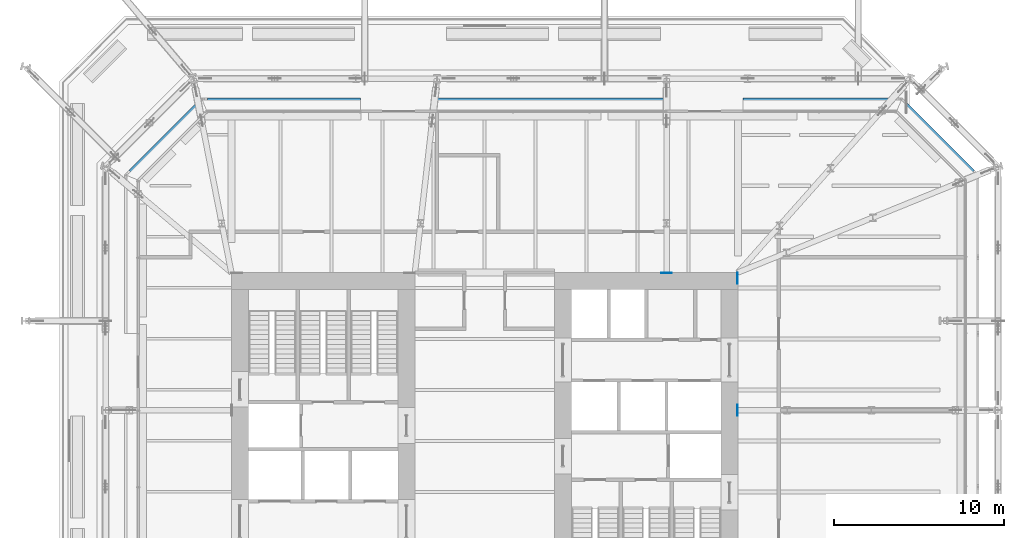
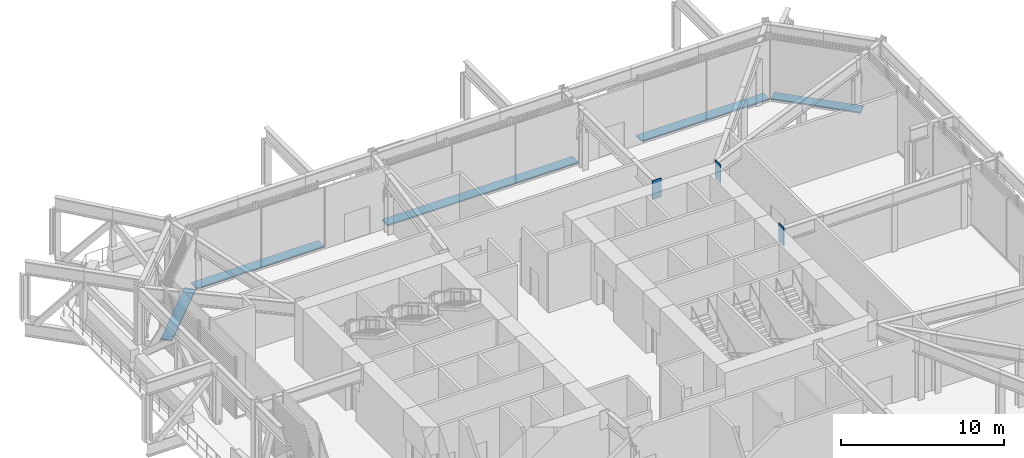
# One storey, part 22 of 29: 8 discrete accessories.
"""IFC4 building model written with IfcOpenShell, lengths in metres."""

from ifc_helpers import new_model, si_unit, direction, frame, origin, origin_2d, place, context, subcontext, project, spatial, rectangle, extrude, material, layer, layer_set, type_object, element, save


model = new_model("IFC4")

# Units and contexts
model_context = context("Model", 3, precision=1e-05, world=origin(), true_north=direction((0.0, 1.0)))
body_context = subcontext(model_context, "Body", "Model", "MODEL_VIEW")
ifc_project = project(units=[si_unit("LENGTHUNIT", "METRE"), si_unit("AREAUNIT", "SQUARE_METRE"), si_unit("VOLUMEUNIT", "CUBIC_METRE"), si_unit("PLANEANGLEUNIT", "RADIAN"), si_unit("MASSUNIT", "GRAM", prefix="KILO")], contexts=[model_context])

# Site, building, storey
site_placement = place(None, origin())
site = spatial("IfcSite", under=ifc_project, at=site_placement, CompositionType="ELEMENT")
building_placement = place(site_placement, origin())
building = spatial("IfcBuilding", under=site, at=building_placement, Name="Millrace Tower", CompositionType="ELEMENT")
storey_placement = place(building_placement, frame((0.0, 0.0, 68.60009765625)))
storey = spatial("IfcBuildingStorey", under=building, at=storey_placement, Name="L15", CompositionType="ELEMENT", Elevation=68.60009765625)

# Discrete accessories
ifc_material_1 = material(Name="Steel ASTM A572 Grade 50", Category="steel")
ifc_layer_1 = layer(ifc_material_1, 0.054931640625)
ifc_layer_set_1 = layer_set([ifc_layer_1], Name="Steel ASTM A572 Grade 50")
discrete_accessory_type_1 = type_object("IfcDiscreteAccessoryType", Name="Cast-in anchor plate 625x1395x55", PredefinedType="ANCHORPLATE", material=ifc_layer_set_1)
for number, where, z_axis, x_axis, name in (
    (1, (14.844970703125, 1.800048828125, 3.9033203125), (1.0, 0.0, 0.0), (0.0, 1.0, 0.0), "Cast-in anchor plate TRS-L15-C08-T04"),
    (2, (10.699951171875, 9.844970703125, 3.9033203125), (0.0, 1.0, 0.0), (-1.0, 0.0, 0.0), "Cast-in anchor plate TRS-L15-C11-T03"),
):
    element("IfcDiscreteAccessory", number, at=place(storey_placement, frame(where, z_axis=z_axis, x_axis=x_axis)), inside=storey, type_object=discrete_accessory_type_1, Name=name, PredefinedType="ANCHORPLATE", context=body_context, shape_type="SweptSolid", body=[
        extrude(rectangle(XDim=0.625, YDim=1.39501953125, at=origin_2d()), origin(), (0.0, 0.0, 1.0), 0.054931640625),
    ])
ifc_material_2 = material(Name="Steel ASTM A572 Grade 50", Category="steel")
ifc_layer_2 = layer(ifc_material_2, 0.054931640625)
ifc_layer_set_2 = layer_set([ifc_layer_2], Name="Steel ASTM A572 Grade 50")
discrete_accessory_type_2 = type_object("IfcDiscreteAccessoryType", Name="Cast-in anchor plate 650x1395x55", PredefinedType="ANCHORPLATE", material=ifc_layer_set_2)
discrete_accessory_1_placement = place(storey_placement, frame((14.844970703125, 9.574951171875, 3.9033203125), z_axis=(1.0, 0.0, 0.0), x_axis=(0.0, 1.0, 0.0)))
element("IfcDiscreteAccessory", 3, at=discrete_accessory_1_placement, inside=storey, type_object=discrete_accessory_type_2, Name="Cast-in anchor plate TRS-L15-C09-T04", PredefinedType="ANCHORPLATE", context=body_context, shape_type="SweptSolid", body=[
    extrude(rectangle(XDim=0.64990234375, YDim=1.39501953125, at=origin_2d()), origin(), (0.0, 0.0, 1.0), 0.054931640625),
])
ifc_material_3 = material(Name="Stainless steel ASTM A240 type 316", Category="steel")
discrete_accessory_type_3 = type_object("IfcDiscreteAccessoryType", Name="Thermally broken screen support rail", PredefinedType="BRACKET", material=ifc_material_3)
discrete_accessory_2_placement = place(storey_placement, frame((26.560546875, 17.66064453125, -0.000244140625), z_axis=(0.0, 0.0, 1.0), x_axis=(-0.707106781187, 0.707106781187, 0.0)))
element("IfcDiscreteAccessory", 4, at=discrete_accessory_2_placement, inside=storey, type_object=discrete_accessory_type_3, Name="Thermally broken screen support rail B-F05 L15 1", PredefinedType="BRACKET", context=body_context, shape_type="SweptSolid", body=[
    extrude(rectangle(XDim=5.65673828125, YDim=0.719970703125, at=origin_2d()), origin(), (0.0, 0.0, 1.0), 0.10009765625),
])
discrete_accessory_3_placement = place(storey_placement, frame((19.699951171875, 19.81005859375, -0.000244140625), z_axis=(0.0, 0.0, 1.0), x_axis=(-1.0, 0.0, 0.0)))
element("IfcDiscreteAccessory", 5, at=discrete_accessory_3_placement, inside=storey, type_object=discrete_accessory_type_3, Name="Thermally broken screen support rail B-F06 L15 1", PredefinedType="BRACKET", context=body_context, shape_type="SweptSolid", body=[
    extrude(rectangle(XDim=9.0, YDim=0.719970703125, at=origin_2d()), origin(), (0.0, 0.0, 1.0), 0.10009765625),
])
discrete_accessory_4_placement = place(storey_placement, frame((3.949951171875, 19.81005859375, -0.000244140625), z_axis=(0.0, 0.0, 1.0), x_axis=(-1.0, 0.0, 0.0)))
element("IfcDiscreteAccessory", 6, at=discrete_accessory_4_placement, inside=storey, type_object=discrete_accessory_type_3, Name="Thermally broken screen support rail B-F06 L15 2", PredefinedType="BRACKET", context=body_context, shape_type="SweptSolid", body=[
    extrude(rectangle(XDim=13.5, YDim=0.719970703125, at=origin_2d()), origin(), (0.0, 0.0, 1.0), 0.10009765625),
])
discrete_accessory_5_placement = place(storey_placement, frame((-11.800048828125, 19.81005859375, -0.000244140625), z_axis=(0.0, 0.0, 1.0), x_axis=(-1.0, 0.0, 0.0)))
element("IfcDiscreteAccessory", 7, at=discrete_accessory_5_placement, inside=storey, type_object=discrete_accessory_type_3, Name="Thermally broken screen support rail B-F06 L15 3", PredefinedType="BRACKET", context=body_context, shape_type="SweptSolid", body=[
    extrude(rectangle(XDim=9.0, YDim=0.719970703125, at=origin_2d()), origin(), (0.0, 0.0, 1.0), 0.10009765625),
])
discrete_accessory_6_placement = place(storey_placement, frame((-18.66064453125, 17.66064453125, -0.000244140625), z_axis=(0.0, 0.0, 1.0), x_axis=(-0.707106781187, -0.707106781187, 0.0)))
element("IfcDiscreteAccessory", 8, at=discrete_accessory_6_placement, inside=storey, type_object=discrete_accessory_type_3, Name="Thermally broken screen support rail B-F07 L15 1", PredefinedType="BRACKET", context=body_context, shape_type="SweptSolid", body=[
    extrude(rectangle(XDim=5.65673828125, YDim=0.719970703125, at=origin_2d()), origin(), (0.0, 0.0, 1.0), 0.10009765625),
])

save(model, "model.ifc")
